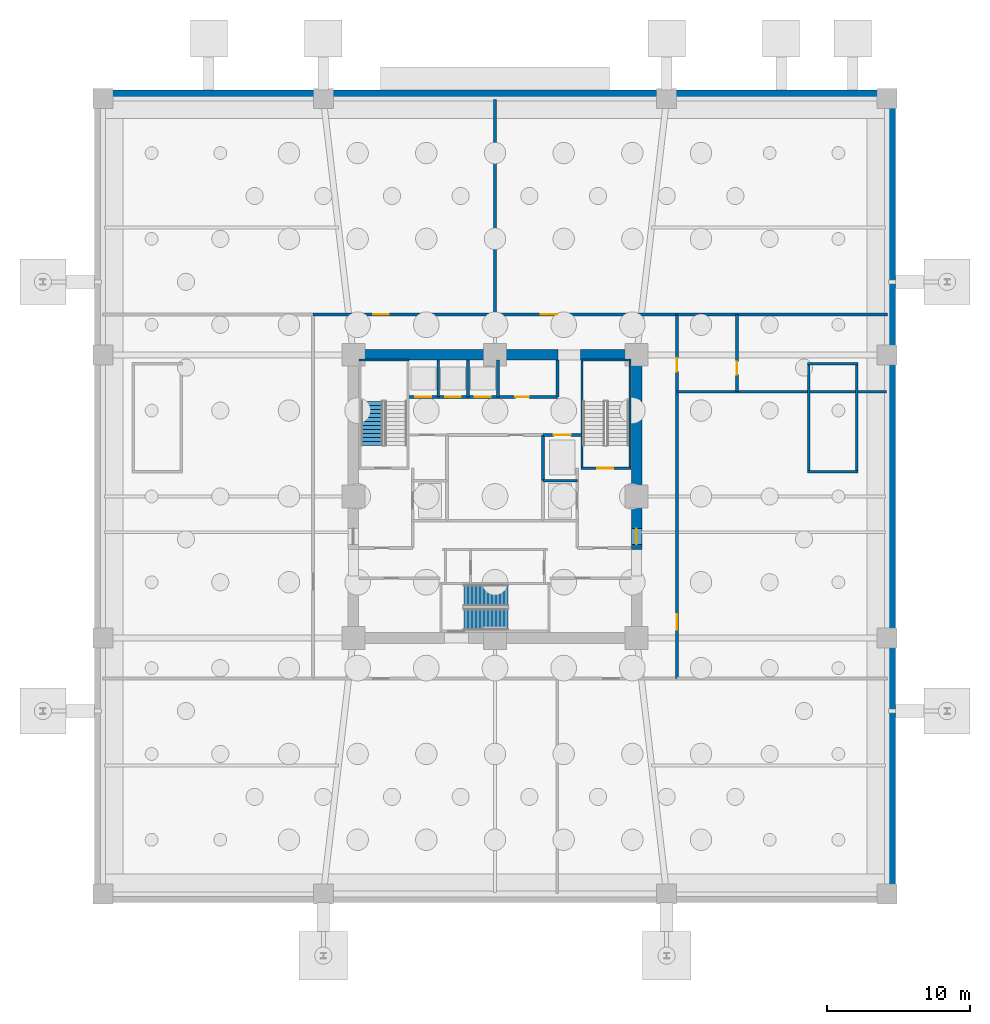
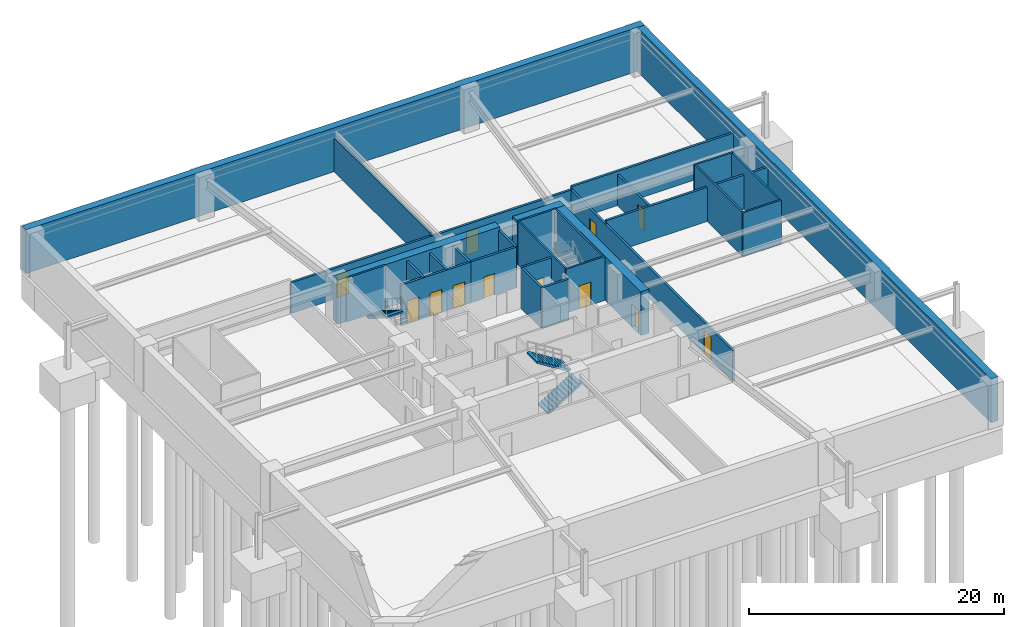
# One storey, part 5 of 8: 29 walls, 12 doors, 3 stair flights, 12 openings, 2 elements without a shape of their own.
"""IFC4 building model written with IfcOpenShell, lengths in metres."""

from ifc_helpers import new_model, si_unit, direction, frame, frame_2d, origin, place, context, subcontext, project, spatial, polyline, rectangle, outline, extrude, material, layer, layer_set, type_object, element, fill, aggregate, save


model = new_model("IFC4")

# Units and contexts
model_context = context("Model", 3, precision=1e-05, world=origin(), true_north=direction((0.0, 1.0)))
body_context = subcontext(model_context, "Body", "Model", "MODEL_VIEW")
ifc_project = project(units=[si_unit("LENGTHUNIT", "METRE"), si_unit("AREAUNIT", "SQUARE_METRE"), si_unit("VOLUMEUNIT", "CUBIC_METRE"), si_unit("PLANEANGLEUNIT", "RADIAN"), si_unit("MASSUNIT", "GRAM", prefix="KILO")], contexts=[model_context])

# Site, building, storey
site_placement = place(None, origin())
site = spatial("IfcSite", under=ifc_project, at=site_placement, CompositionType="ELEMENT")
building_placement = place(site_placement, origin())
building = spatial("IfcBuilding", under=site, at=building_placement, Name="Kolvaren Belvedere", CompositionType="ELEMENT")
storey_placement = place(building_placement, frame((0.0, 0.0, -12.60009765625)))
storey = spatial("IfcBuildingStorey", under=building, at=storey_placement, Name="B03", CompositionType="ELEMENT", Elevation=-12.60009765625)

# Walls
ifc_material_1 = material(Name="Concrete C60/75", Category="concrete")
ifc_layer_1 = layer(ifc_material_1, 0.75)
ifc_layer_set_1 = layer_set([ifc_layer_1], Name="Concrete C60/75")
wall_type_1 = type_object("IfcWallType", Name="CW-CORE-750", PredefinedType="SHEAR", material=ifc_layer_set_1)
wall_1_placement = place(storey_placement, frame((-10.27490234375, 9.89990234375, 0.0), z_axis=(0.0, 0.0, 1.0), x_axis=(1.0, 0.0, 0.0)))
element("IfcWall", 1, at=wall_1_placement, inside=storey, type_object=wall_type_1, Name="B03 North Core Shear Wall 1", PredefinedType="SHEAR", context=body_context, shape_type="SweptSolid", body=[
    extrude(rectangle(XDim=14.69482421875, YDim=0.75, at=frame_2d((7.347412109375, 0.0))), origin(), (0.0, 0.0, 1.0), 4.2001953125),
])
wall_2_placement = place(storey_placement, frame((5.97998046875, 9.89990234375, 0.0), z_axis=(0.0, 0.0, 1.0), x_axis=(1.0, 0.0, 0.0)))
element("IfcWall", 2, at=wall_2_placement, inside=storey, type_object=wall_type_1, Name="B03 North Core Shear Wall 2", PredefinedType="SHEAR", context=body_context, shape_type="SweptSolid", body=[
    extrude(rectangle(XDim=4.294921875, YDim=0.75, at=frame_2d((2.1474609375, 0.0))), origin(), (0.0, 0.0, 1.0), 4.2001953125),
])

# Wall, opening, door
wall_3_placement = place(storey_placement, frame((9.89990234375, -3.699951171875, 0.0), z_axis=(0.0, 0.0, 1.0), x_axis=(0.0, 1.0, 0.0)))
wall_3 = element("IfcWall", 3, at=wall_3_placement, inside=storey, type_object=wall_type_1, Name="B03 East Core Shear Wall 2", PredefinedType="SHEAR", context=body_context, shape_type="SweptSolid", body=[
    extrude(rectangle(XDim=13.224853515625, YDim=0.75, at=frame_2d((6.6123046875, 0.0))), origin(), (0.0, 0.0, 1.0), 4.2001953125),
])
opening_1_placement = place(wall_3_placement, frame((0.35009765625, 0.0, 0.0)))
opening_1 = element("IfcOpeningElement", 4, at=opening_1_placement, cuts=wall_3, Name="Opening D-FD90", PredefinedType="OPENING", context=body_context, shape_type="SweptSolid", body=[
    extrude(rectangle(XDim=1.10009765625, YDim=2.199951171875, at=frame_2d((0.550048828125, 1.10009765625))), frame((0.0, 0.385009765625, 0.0), z_axis=(0.0, -1.0, 0.0), x_axis=(1.0, 0.0, 0.0)), (0.0, 0.0, 1.0), 0.77001953125),
])
ifc_material_2 = material(Name="Painted hollow stainless steel", Category="steel")
door_type_1 = type_object("IfcDoorType", Name="DR-FD90-1100", OperationType="NOTDEFINED", PredefinedType="DOOR", material=ifc_material_2)
door_1_placement = place(opening_1_placement, origin())
door_1 = element("IfcDoor", 5, at=door_1_placement, inside=storey, type_object=door_type_1, Name="B03 East Firefighting Lobby Fire Door", OperationType="SINGLE_SWING_RIGHT", OverallHeight=2.199951171875, OverallWidth=1.10009765625, PredefinedType="DOOR", context=body_context, shape_type="SweptSolid", body=[
    extrude(rectangle(XDim=1.10009765625, YDim=2.199951171875, at=frame_2d((0.550048828125, 1.10009765625))), frame((0.0, 0.02490234375, 0.0), z_axis=(0.0, -1.0, 0.0), x_axis=(1.0, 0.0, 0.0)), (0.0, 0.0, 1.0), 0.050048828125),
])
fill(opening_1, door_1)

# Walls
ifc_material_3 = material(Name="Concrete C50/60", Category="concrete")
ifc_layer_2 = layer(ifc_material_3, 0.159912109375)
ifc_layer_set_2 = layer_set([ifc_layer_2], Name="Concrete C50/60")
wall_type_2 = type_object("IfcWallType", Name="CW-STAIR-160", PredefinedType="SHEAR", material=ifc_layer_set_2)
for number, where, z_axis, x_axis, name in (
    (6, (21.85009765625, 1.719970703125, 0.0), (0.0, 0.0, 1.0), (1.0, 0.0, 0.0), "B03 Podium Stair ST-P2 Support Wall S"),
    (7, (21.85009765625, 9.280029296875, 0.0), (0.0, 0.0, 1.0), (1.0, 0.0, 0.0), "B03 Podium Stair ST-P2 Support Wall N"),
):
    element("IfcWall", number, at=place(storey_placement, frame(where, z_axis=z_axis, x_axis=x_axis)), inside=storey, type_object=wall_type_2, Name=name, PredefinedType="SHEAR", context=body_context, shape_type="SweptSolid", body=[
        extrude(rectangle(XDim=3.510009765625, YDim=0.159912109375, at=frame_2d((1.7548828125, 0.0))), origin(), (0.0, 0.0, 1.0), 4.2001953125),
    ])
for number, where, z_axis, x_axis, name in (
    (8, (21.929931640625, 1.800048828125, 0.0), (0.0, 0.0, 1.0), (0.0, 1.0, 0.0), "B03 Podium Stair ST-P2 Support Wall W"),
    (9, (25.280029296875, 1.800048828125, 0.0), (0.0, 0.0, 1.0), (0.0, 1.0, 0.0), "B03 Podium Stair ST-P2 Support Wall E"),
):
    element("IfcWall", number, at=place(storey_placement, frame(where, z_axis=z_axis, x_axis=x_axis)), inside=storey, type_object=wall_type_2, Name=name, PredefinedType="SHEAR", context=body_context, shape_type="SweptSolid", body=[
        extrude(rectangle(XDim=7.39990234375, YDim=0.159912109375, at=frame_2d((3.699951171875, 0.0))), origin(), (0.0, 0.0, 1.0), 4.2001953125),
    ])
wall_4_placement = place(storey_placement, frame((-9.52001953125, 9.530029296875, 0.0), z_axis=(0.0, 0.0, 1.0), x_axis=(1.0, 0.0, 0.0)))
element("IfcWall", 10, at=wall_4_placement, inside=storey, type_object=wall_type_2, Name="B03 Stair ST-1 North Shear Wall", PredefinedType="SHEAR", context=body_context, shape_type="SweptSolid", body=[
    extrude(rectangle(XDim=3.52001953125, YDim=0.159912109375, at=frame_2d((1.760009765625, 0.0))), origin(), (0.0, 0.0, 1.0), 4.2001953125),
])

# Wall, opening, door
wall_5_placement = place(storey_placement, frame((6.0, 1.969970703125, 0.0), z_axis=(0.0, 0.0, 1.0), x_axis=(1.0, 0.0, 0.0)))
wall_5 = element("IfcWall", 11, at=wall_5_placement, inside=storey, type_object=wall_type_2, Name="B03 Stair ST-2 South Shear Wall", PredefinedType="SHEAR", context=body_context, shape_type="SweptSolid", body=[
    extrude(rectangle(XDim=3.52001953125, YDim=0.159912109375, at=frame_2d((1.760009765625, 0.0))), origin(), (0.0, 0.0, 1.0), 4.2001953125),
])
opening_2_placement = place(wall_5_placement, frame((1.14990234375, 0.0, 0.0)))
opening_2 = element("IfcOpeningElement", 12, at=opening_2_placement, cuts=wall_5, Name="Opening D-FD90", PredefinedType="OPENING", context=body_context, shape_type="SweptSolid", body=[
    extrude(rectangle(XDim=1.10009765625, YDim=2.199951171875, at=frame_2d((0.550048828125, 1.10009765625))), frame((0.0, 0.08984375, 0.0), z_axis=(0.0, -1.0, 0.0), x_axis=(1.0, 0.0, 0.0)), (0.0, 0.0, 1.0), 0.179931640625),
])
door_2_placement = place(opening_2_placement, origin())
door_2 = element("IfcDoor", 13, at=door_2_placement, inside=storey, type_object=door_type_1, Name="B03 Stair ST-2 Fire Door", OperationType="SINGLE_SWING_RIGHT", OverallHeight=2.199951171875, OverallWidth=1.10009765625, PredefinedType="DOOR", context=body_context, shape_type="SweptSolid", body=[
    extrude(rectangle(XDim=1.10009765625, YDim=2.199951171875, at=frame_2d((0.550048828125, 1.10009765625))), frame((0.0, 0.02490234375, 0.0), z_axis=(0.0, -1.0, 0.0), x_axis=(1.0, 0.0, 0.0)), (0.0, 0.0, 1.0), 0.050048828125),
])
fill(opening_2, door_2)

# Walls
wall_6_placement = place(storey_placement, frame((6.0, 9.530029296875, 0.0), z_axis=(0.0, 0.0, 1.0), x_axis=(1.0, 0.0, 0.0)))
element("IfcWall", 14, at=wall_6_placement, inside=storey, type_object=wall_type_2, Name="B03 Stair ST-2 North Shear Wall", PredefinedType="SHEAR", context=body_context, shape_type="SweptSolid", body=[
    extrude(rectangle(XDim=3.52001953125, YDim=0.159912109375, at=frame_2d((1.760009765625, 0.0))), origin(), (0.0, 0.0, 1.0), 4.2001953125),
])
for number, where, z_axis, x_axis, name in (
    (15, (6.080078125, 1.969970703125, 0.0), (0.0, 0.0, 1.0), (0.0, 1.0, 0.0), "B03 Stair ST-2 West Shear Wall"),
    (16, (9.429931640625, 1.969970703125, 0.0), (0.0, 0.0, 1.0), (0.0, 1.0, 0.0), "B03 Stair ST-2 East Shear Wall"),
):
    element("IfcWall", number, at=place(storey_placement, frame(where, z_axis=z_axis, x_axis=x_axis)), inside=storey, type_object=wall_type_2, Name=name, PredefinedType="SHEAR", context=body_context, shape_type="SweptSolid", body=[
        extrude(rectangle(XDim=7.56005859375, YDim=0.159912109375, at=frame_2d((3.780029296875, 0.0))), origin(), (0.0, 0.0, 1.0), 4.2001953125),
    ])
ifc_material_4 = material(Name="Concrete C50/60", Category="concrete")
ifc_layer_3 = layer(ifc_material_4, 0.64990234375)
ifc_layer_set_3 = layer_set([ifc_layer_3], Name="Concrete C50/60")
wall_type_3 = type_object("IfcWallType", Name="RW-BASE-650", PredefinedType="SHEAR", material=ifc_layer_set_3)
wall_7_placement = place(storey_placement, frame((-28.0, 28.074951171875, 0.0), z_axis=(0.0, 0.0, 1.0), x_axis=(1.0, 0.0, 0.0)))
element("IfcWall", 17, at=wall_7_placement, inside=storey, type_object=wall_type_3, Name="B03 North Perimeter Retaining Wall", PredefinedType="SHEAR", context=body_context, shape_type="SweptSolid", body=[
    extrude(rectangle(XDim=56.0, YDim=0.64990234375, at=frame_2d((28.0, 0.0))), origin(), (0.0, 0.0, 1.0), 4.2001953125),
])
wall_8_placement = place(storey_placement, frame((27.675048828125, -27.75, 0.0), z_axis=(0.0, 0.0, 1.0), x_axis=(0.0, 1.0, 0.0)))
element("IfcWall", 18, at=wall_8_placement, inside=storey, type_object=wall_type_3, Name="B03 East Perimeter Retaining Wall", PredefinedType="SHEAR", context=body_context, shape_type="SweptSolid", body=[
    extrude(rectangle(XDim=55.5, YDim=0.64990234375, at=frame_2d((27.75, 0.0))), origin(), (0.0, 0.0, 1.0), 4.2001953125),
])
ifc_material_5 = material(Name="Concrete C50/60", Category="concrete")
ifc_layer_4 = layer(ifc_material_5, 0.199951171875)
ifc_layer_set_4 = layer_set([ifc_layer_4], Name="Concrete C50/60")
wall_type_4 = type_object("IfcWallType", Name="WL-SHAFT-200", PredefinedType="SOLIDWALL", material=ifc_layer_set_4)
wall_9_placement = place(storey_placement, frame((3.35009765625, 1.10009765625, 0.0), z_axis=(0.0, 0.0, 1.0), x_axis=(1.0, 0.0, 0.0)))
element("IfcWall", 19, at=wall_9_placement, inside=storey, type_object=wall_type_4, Name="B03 FSAE FS2 North Wall", PredefinedType="SOLIDWALL", context=body_context, shape_type="SweptSolid", body=[
    extrude(rectangle(XDim=2.39990234375, YDim=0.199951171875, at=frame_2d((1.199951171875, 0.0))), origin(), (0.0, 0.0, 1.0), 3.900146484375),
])

# Wall, opening, door
wall_10_placement = place(storey_placement, frame((3.35009765625, 4.300048828125, 0.0), z_axis=(0.0, 0.0, 1.0), x_axis=(1.0, 0.0, 0.0)))
wall_10 = element("IfcWall", 20, at=wall_10_placement, inside=storey, type_object=wall_type_4, Name="B03 Service Lift SV1 Front Wall", PredefinedType="SOLIDWALL", context=body_context, shape_type="SweptSolid", body=[
    extrude(rectangle(XDim=2.72998046875, YDim=0.199951171875, at=frame_2d((1.364990234375, 0.0))), origin(), (0.0, 0.0, 1.0), 3.900146484375),
])
opening_3_placement = place(wall_10_placement, frame((0.75, 0.0, 0.0)))
opening_3 = element("IfcOpeningElement", 21, at=opening_3_placement, cuts=wall_10, Name="Opening LD-12", PredefinedType="OPENING", context=body_context, shape_type="SweptSolid", body=[
    extrude(rectangle(XDim=1.199951171875, YDim=2.25, at=frame_2d((0.60009765625, 1.125))), frame((0.0, 0.10986328125, 0.0), z_axis=(0.0, -1.0, 0.0), x_axis=(1.0, 0.0, 0.0)), (0.0, 0.0, 1.0), 0.219970703125),
])
ifc_material_6 = material(Name="Brushed stainless steel", Category="steel")
door_type_2 = type_object("IfcDoorType", Name="DR-LIFT-1200", OperationType="DOUBLE_DOOR_SLIDING", PredefinedType="DOOR", material=ifc_material_6)
door_3_placement = place(opening_3_placement, origin())
door_3 = element("IfcDoor", 22, at=door_3_placement, inside=storey, type_object=door_type_2, Name="B03 Service Lift SV1 Landing Door", OperationType="DOUBLE_DOOR_SLIDING", OverallHeight=2.25, OverallWidth=1.199951171875, PredefinedType="DOOR", context=body_context, shape_type="SweptSolid", body=[
    extrude(rectangle(XDim=1.199951171875, YDim=2.25, at=frame_2d((0.60009765625, 1.125))), frame((0.0, 0.02490234375, 0.0), z_axis=(0.0, -1.0, 0.0), x_axis=(1.0, 0.0, 0.0)), (0.0, 0.0, 1.0), 0.050048828125),
])
fill(opening_3, door_3)

# Wall, openings, doors
wall_11_placement = place(storey_placement, frame((-6.080078125, 6.949951171875, 0.0), z_axis=(0.0, 0.0, 1.0), x_axis=(1.0, 0.0, 0.0)))
wall_11 = element("IfcWall", 23, at=wall_11_placement, inside=storey, type_object=wall_type_4, Name="B03 Low-Rise Lift Bank Front Wall", PredefinedType="SOLIDWALL", context=body_context, shape_type="SweptSolid", body=[
    extrude(rectangle(XDim=6.300048828125, YDim=0.199951171875, at=frame_2d((3.14990234375, 0.0))), origin(), (0.0, 0.0, 1.0), 3.900146484375),
])
opening_4_placement = place(wall_11_placement, frame((0.52001953125, 0.0, 0.0)))
opening_4 = element("IfcOpeningElement", 24, at=opening_4_placement, cuts=wall_11, Name="Opening LD-11", PredefinedType="OPENING", context=body_context, shape_type="SweptSolid", body=[
    extrude(rectangle(XDim=1.10009765625, YDim=2.199951171875, at=frame_2d((0.550048828125, 1.10009765625))), frame((0.0, 0.10986328125, 0.0), z_axis=(0.0, -1.0, 0.0), x_axis=(1.0, 0.0, 0.0)), (0.0, 0.0, 1.0), 0.219970703125),
])
opening_5_placement = place(wall_11_placement, frame((2.60009765625, 0.0, 0.0)))
opening_5 = element("IfcOpeningElement", 25, at=opening_5_placement, cuts=wall_11, Name="Opening LD-11", PredefinedType="OPENING", context=body_context, shape_type="SweptSolid", body=[
    extrude(rectangle(XDim=1.10009765625, YDim=2.199951171875, at=frame_2d((0.550048828125, 1.10009765625))), frame((0.0, 0.10986328125, 0.0), z_axis=(0.0, -1.0, 0.0), x_axis=(1.0, 0.0, 0.0)), (0.0, 0.0, 1.0), 0.219970703125),
])
opening_6_placement = place(wall_11_placement, frame((4.679931640625, 0.0, 0.0)))
opening_6 = element("IfcOpeningElement", 26, at=opening_6_placement, cuts=wall_11, Name="Opening LD-11", PredefinedType="OPENING", context=body_context, shape_type="SweptSolid", body=[
    extrude(rectangle(XDim=1.10009765625, YDim=2.199951171875, at=frame_2d((0.550048828125, 1.10009765625))), frame((0.0, 0.10986328125, 0.0), z_axis=(0.0, -1.0, 0.0), x_axis=(1.0, 0.0, 0.0)), (0.0, 0.0, 1.0), 0.219970703125),
])
ifc_material_7 = material(Name="Brushed stainless steel", Category="steel")
door_type_3 = type_object("IfcDoorType", Name="DR-LIFT-1100", OperationType="DOUBLE_DOOR_SLIDING", PredefinedType="DOOR", material=ifc_material_7)
door_4_placement = place(opening_4_placement, origin())
door_4 = element("IfcDoor", 27, at=door_4_placement, inside=storey, type_object=door_type_3, Name="B03 Passenger Lift P1 Landing Door", OperationType="DOUBLE_DOOR_SLIDING", OverallHeight=2.199951171875, OverallWidth=1.10009765625, PredefinedType="DOOR", context=body_context, shape_type="SweptSolid", body=[
    extrude(rectangle(XDim=1.10009765625, YDim=2.199951171875, at=frame_2d((0.550048828125, 1.10009765625))), frame((0.0, 0.02490234375, 0.0), z_axis=(0.0, -1.0, 0.0), x_axis=(1.0, 0.0, 0.0)), (0.0, 0.0, 1.0), 0.050048828125),
])
fill(opening_4, door_4)
door_5_placement = place(opening_5_placement, origin())
door_5 = element("IfcDoor", 28, at=door_5_placement, inside=storey, type_object=door_type_3, Name="B03 Passenger Lift P2 Landing Door", OperationType="DOUBLE_DOOR_SLIDING", OverallHeight=2.199951171875, OverallWidth=1.10009765625, PredefinedType="DOOR", context=body_context, shape_type="SweptSolid", body=[
    extrude(rectangle(XDim=1.10009765625, YDim=2.199951171875, at=frame_2d((0.550048828125, 1.10009765625))), frame((0.0, 0.02490234375, 0.0), z_axis=(0.0, -1.0, 0.0), x_axis=(1.0, 0.0, 0.0)), (0.0, 0.0, 1.0), 0.050048828125),
])
fill(opening_5, door_5)
door_6_placement = place(opening_6_placement, origin())
door_6 = element("IfcDoor", 29, at=door_6_placement, inside=storey, type_object=door_type_3, Name="B03 Passenger Lift P3 Landing Door", OperationType="DOUBLE_DOOR_SLIDING", OverallHeight=2.199951171875, OverallWidth=1.10009765625, PredefinedType="DOOR", context=body_context, shape_type="SweptSolid", body=[
    extrude(rectangle(XDim=1.10009765625, YDim=2.199951171875, at=frame_2d((0.550048828125, 1.10009765625))), frame((0.0, 0.02490234375, 0.0), z_axis=(0.0, -1.0, 0.0), x_axis=(1.0, 0.0, 0.0)), (0.0, 0.0, 1.0), 0.050048828125),
])
fill(opening_6, door_6)

# Walls
for number, where, z_axis, x_axis, name in (
    (30, (-3.969970703125, 6.949951171875, 0.0), (0.0, 0.0, 1.0), (0.0, 1.0, 0.0), "B03 Low-Rise Hoistway Divider 1"),
    (31, (-1.889892578125, 6.949951171875, 0.0), (0.0, 0.0, 1.0), (0.0, 1.0, 0.0), "B03 Low-Rise Hoistway Divider 2"),
    (32, (0.2099609375, 6.949951171875, 0.0), (0.0, 0.0, 1.0), (0.0, 1.0, 0.0), "B03 Low-Rise Hoistway Divider 3"),
):
    element("IfcWall", number, at=place(storey_placement, frame(where, z_axis=z_axis, x_axis=x_axis)), inside=storey, type_object=wall_type_4, Name=name, PredefinedType="SOLIDWALL", context=body_context, shape_type="SweptSolid", body=[
        extrude(rectangle(XDim=2.570068359375, YDim=0.199951171875, at=frame_2d((1.28515625, 0.0))), origin(), (0.0, 0.0, 1.0), 3.900146484375),
    ])

# Wall, opening, door
wall_12_placement = place(storey_placement, frame((0.219970703125, 6.949951171875, 0.0), z_axis=(0.0, 0.0, 1.0), x_axis=(1.0, 0.0, 0.0)))
wall_12 = element("IfcWall", 33, at=wall_12_placement, inside=storey, type_object=wall_type_4, Name="B03 Core Metering Wall", PredefinedType="SOLIDWALL", context=body_context, shape_type="SweptSolid", body=[
    extrude(rectangle(XDim=4.159912109375, YDim=0.199951171875, at=frame_2d((2.080078125, 0.0))), origin(), (0.0, 0.0, 1.0), 3.900146484375),
])
opening_7_placement = place(wall_12_placement, frame((1.199951171875, 0.0, 0.0)))
opening_7 = element("IfcOpeningElement", 34, at=opening_7_placement, cuts=wall_12, Name="Opening D-FD60", PredefinedType="OPENING", context=body_context, shape_type="SweptSolid", body=[
    extrude(rectangle(XDim=0.949951171875, YDim=2.06005859375, at=frame_2d((0.47509765625, 1.030029296875))), frame((0.0, 0.10986328125, 0.0), z_axis=(0.0, -1.0, 0.0), x_axis=(1.0, 0.0, 0.0)), (0.0, 0.0, 1.0), 0.219970703125),
])
ifc_material_8 = material(Name="Acoustic white-oak fire door leaf", Category="timber")
door_type_4 = type_object("IfcDoorType", Name="DR-FD60-950", OperationType="NOTDEFINED", PredefinedType="DOOR", material=ifc_material_8)
door_7_placement = place(opening_7_placement, origin())
door_7 = element("IfcDoor", 35, at=door_7_placement, inside=storey, type_object=door_type_4, Name="B03 Core Metering Door", OperationType="SINGLE_SWING_LEFT", OverallHeight=2.06005859375, OverallWidth=0.949951171875, PredefinedType="DOOR", context=body_context, shape_type="SweptSolid", body=[
    extrude(rectangle(XDim=0.949951171875, YDim=2.06005859375, at=frame_2d((0.47509765625, 1.030029296875))), frame((0.0, 0.02490234375, 0.0), z_axis=(0.0, -1.0, 0.0), x_axis=(1.0, 0.0, 0.0)), (0.0, 0.0, 1.0), 0.050048828125),
])
fill(opening_7, door_7)

# Walls
wall_13_placement = place(storey_placement, frame((4.3798828125, 6.949951171875, 0.0), z_axis=(0.0, 0.0, 1.0), x_axis=(0.0, 1.0, 0.0)))
element("IfcWall", 36, at=wall_13_placement, inside=storey, type_object=wall_type_4, Name="B03 Core Metering East Wall", PredefinedType="SOLIDWALL", context=body_context, shape_type="SweptSolid", body=[
    extrude(rectangle(XDim=2.570068359375, YDim=0.199951171875, at=frame_2d((1.28515625, 0.0))), origin(), (0.0, 0.0, 1.0), 3.900146484375),
])
wall_14_placement = place(storey_placement, frame((3.35009765625, 1.10009765625, 0.0), z_axis=(0.0, 0.0, 1.0), x_axis=(0.0, 1.0, 0.0)))
element("IfcWall", 37, at=wall_14_placement, inside=storey, type_object=wall_type_4, Name="B03 Central Core Room East Wall", PredefinedType="SOLIDWALL", context=body_context, shape_type="SweptSolid", body=[
    extrude(rectangle(XDim=3.199951171875, YDim=0.199951171875, at=frame_2d((1.60009765625, 0.0))), origin(), (0.0, 0.0, 1.0), 3.900146484375),
])

# Wall, openings, doors
wall_15_placement = place(storey_placement, frame((-12.719970703125, 12.719970703125, 0.0), z_axis=(0.0, 0.0, 1.0), x_axis=(1.0, 0.0, 0.0)))
wall_15 = element("IfcWall", 38, at=wall_15_placement, inside=storey, type_object=wall_type_4, Name="B03 North Corridor Wall", PredefinedType="SOLIDWALL", context=body_context, shape_type="SweptSolid", body=[
    extrude(rectangle(XDim=25.43994140625, YDim=0.199951171875, at=frame_2d((12.719970703125, 0.0))), origin(), (0.0, 0.0, 1.0), 2.9580078125),
])
opening_8_placement = place(wall_15_placement, frame((4.199951171875, 0.0, 0.0)))
opening_8 = element("IfcOpeningElement", 39, at=opening_8_placement, cuts=wall_15, Name="Opening D-FD90", PredefinedType="OPENING", context=body_context, shape_type="SweptSolid", body=[
    extrude(rectangle(XDim=1.10009765625, YDim=2.199951171875, at=frame_2d((0.550048828125, 1.10009765625))), frame((0.0, 0.10986328125, 0.0), z_axis=(0.0, -1.0, 0.0), x_axis=(1.0, 0.0, 0.0)), (0.0, 0.0, 1.0), 0.219970703125),
])
opening_9_placement = place(wall_15_placement, frame((15.919921875, 0.0, 0.0)))
opening_9 = element("IfcOpeningElement", 40, at=opening_9_placement, cuts=wall_15, Name="Opening D-FD90", PredefinedType="OPENING", context=body_context, shape_type="SweptSolid", body=[
    extrude(rectangle(XDim=1.10009765625, YDim=2.199951171875, at=frame_2d((0.550048828125, 1.10009765625))), frame((0.0, 0.10986328125, 0.0), z_axis=(0.0, -1.0, 0.0), x_axis=(1.0, 0.0, 0.0)), (0.0, 0.0, 1.0), 0.219970703125),
])
door_8_placement = place(opening_8_placement, origin())
door_8 = element("IfcDoor", 41, at=door_8_placement, inside=storey, type_object=door_type_1, Name="B03 Central Linen & Housekeeping Room Door", OperationType="SINGLE_SWING_RIGHT", OverallHeight=2.199951171875, OverallWidth=1.10009765625, PredefinedType="DOOR", context=body_context, shape_type="SweptSolid", body=[
    extrude(rectangle(XDim=1.10009765625, YDim=2.199951171875, at=frame_2d((0.550048828125, 1.10009765625))), frame((0.0, 0.02490234375, 0.0), z_axis=(0.0, -1.0, 0.0), x_axis=(1.0, 0.0, 0.0)), (0.0, 0.0, 1.0), 0.050048828125),
])
fill(opening_8, door_8)
door_9_placement = place(opening_9_placement, origin())
door_9 = element("IfcDoor", 42, at=door_9_placement, inside=storey, type_object=door_type_1, Name="B03 Auxiliary Controls Mechanical Plant Door", OperationType="SINGLE_SWING_LEFT", OverallHeight=2.199951171875, OverallWidth=1.10009765625, PredefinedType="DOOR", context=body_context, shape_type="SweptSolid", body=[
    extrude(rectangle(XDim=1.10009765625, YDim=2.199951171875, at=frame_2d((0.550048828125, 1.10009765625))), frame((0.0, 0.02490234375, 0.0), z_axis=(0.0, -1.0, 0.0), x_axis=(1.0, 0.0, 0.0)), (0.0, 0.0, 1.0), 0.050048828125),
])
fill(opening_9, door_9)

wall_16_placement = place(storey_placement, frame((12.719970703125, -12.719970703125, 0.0), z_axis=(0.0, 0.0, 1.0), x_axis=(0.0, 1.0, 0.0)))
wall_16 = element("IfcWall", 43, at=wall_16_placement, inside=storey, type_object=wall_type_4, Name="B03 East Corridor Wall", PredefinedType="SOLIDWALL", context=body_context, shape_type="SweptSolid", body=[
    extrude(rectangle(XDim=25.43994140625, YDim=0.199951171875, at=frame_2d((12.719970703125, 0.0))), origin(), (0.0, 0.0, 1.0), 2.9580078125),
])
opening_10_placement = place(wall_16_placement, frame((3.39990234375, 0.0, 0.0)))
opening_10 = element("IfcOpeningElement", 44, at=opening_10_placement, cuts=wall_16, Name="Opening D-FD90", PredefinedType="OPENING", context=body_context, shape_type="SweptSolid", body=[
    extrude(rectangle(XDim=1.10009765625, YDim=2.199951171875, at=frame_2d((0.550048828125, 1.10009765625))), frame((0.0, 0.10986328125, 0.0), z_axis=(0.0, -1.0, 0.0), x_axis=(1.0, 0.0, 0.0)), (0.0, 0.0, 1.0), 0.219970703125),
])
opening_11_placement = place(wall_16_placement, frame((21.43994140625, 0.0, 0.0)))
opening_11 = element("IfcOpeningElement", 45, at=opening_11_placement, cuts=wall_16, Name="Opening D-INT95", PredefinedType="OPENING", context=body_context, shape_type="SweptSolid", body=[
    extrude(rectangle(XDim=0.949951171875, YDim=2.06005859375, at=frame_2d((0.47509765625, 1.030029296875))), frame((0.0, 0.10986328125, 0.0), z_axis=(0.0, -1.0, 0.0), x_axis=(1.0, 0.0, 0.0)), (0.0, 0.0, 1.0), 0.219970703125),
])
door_10_placement = place(opening_10_placement, origin())
door_10 = element("IfcDoor", 46, at=door_10_placement, inside=storey, type_object=door_type_1, Name="B03 Stormwater Sump Mechanical Plant Door", OperationType="SINGLE_SWING_RIGHT", OverallHeight=2.199951171875, OverallWidth=1.10009765625, PredefinedType="DOOR", context=body_context, shape_type="SweptSolid", body=[
    extrude(rectangle(XDim=1.10009765625, YDim=2.199951171875, at=frame_2d((0.550048828125, 1.10009765625))), frame((0.0, 0.02490234375, 0.0), z_axis=(0.0, -1.0, 0.0), x_axis=(1.0, 0.0, 0.0)), (0.0, 0.0, 1.0), 0.050048828125),
])
fill(opening_10, door_10)
ifc_material_9 = material(Name="Stained Pacific white oak", Category="timber")
door_type_5 = type_object("IfcDoorType", Name="DR-INT-950", OperationType="NOTDEFINED", PredefinedType="DOOR", material=ifc_material_9)
door_11_placement = place(opening_11_placement, origin())
door_11 = element("IfcDoor", 47, at=door_11_placement, inside=storey, type_object=door_type_5, Name="B03 Staff Accessible Washroom Door", OperationType="SINGLE_SWING_LEFT", OverallHeight=2.06005859375, OverallWidth=0.949951171875, PredefinedType="DOOR", context=body_context, shape_type="SweptSolid", body=[
    extrude(rectangle(XDim=0.949951171875, YDim=2.06005859375, at=frame_2d((0.47509765625, 1.030029296875))), frame((0.0, 0.02490234375, 0.0), z_axis=(0.0, -1.0, 0.0), x_axis=(1.0, 0.0, 0.0)), (0.0, 0.0, 1.0), 0.050048828125),
])
fill(opening_11, door_11)

# Walls
wall_17_placement = place(storey_placement, frame((12.719970703125, 12.719970703125, 0.0), z_axis=(0.0, 0.0, 1.0), x_axis=(1.0, 0.0, 0.0)))
element("IfcWall", 48, at=wall_17_placement, inside=storey, type_object=wall_type_4, Name="B03 Sector Wall PW-B03-QNE", PredefinedType="SOLIDWALL", context=body_context, shape_type="SweptSolid", body=[
    extrude(rectangle(XDim=14.719970703125, YDim=0.199951171875, at=frame_2d((7.35986328125, 0.0))), origin(), (0.0, 0.0, 1.0), 3.26904296875),
])
wall_18_placement = place(storey_placement, frame((12.719970703125, 7.320068359375, 0.0), z_axis=(0.0, 0.0, 1.0), x_axis=(1.0, 0.0, 0.0)))
element("IfcWall", 49, at=wall_18_placement, inside=storey, type_object=wall_type_4, Name="B03 East Plant WC Wall", PredefinedType="SOLIDWALL", context=body_context, shape_type="SweptSolid", body=[
    extrude(rectangle(XDim=14.630126953125, YDim=0.199951171875, at=frame_2d((7.31494140625, 0.0))), origin(), (0.0, 0.0, 1.0), 3.26904296875),
])

# Wall, opening, door
wall_19_placement = place(storey_placement, frame((16.919921875, 7.320068359375, 0.0), z_axis=(0.0, 0.0, 1.0), x_axis=(0.0, 1.0, 0.0)))
wall_19 = element("IfcWall", 50, at=wall_19_placement, inside=storey, type_object=wall_type_4, Name="B03 Staff WC Back Wall", PredefinedType="SOLIDWALL", context=body_context, shape_type="SweptSolid", body=[
    extrude(rectangle(XDim=5.39990234375, YDim=0.199951171875, at=frame_2d((2.699951171875, 0.0))), origin(), (0.0, 0.0, 1.0), 2.9580078125),
])
opening_12_placement = place(wall_19_placement, frame((1.199951171875, 0.0, 0.0)))
opening_12 = element("IfcOpeningElement", 51, at=opening_12_placement, cuts=wall_19, Name="Opening D-INT90", PredefinedType="OPENING", context=body_context, shape_type="SweptSolid", body=[
    extrude(rectangle(XDim=0.89990234375, YDim=2.06005859375, at=frame_2d((0.449951171875, 1.030029296875))), frame((0.0, 0.10986328125, 0.0), z_axis=(0.0, -1.0, 0.0), x_axis=(1.0, 0.0, 0.0)), (0.0, 0.0, 1.0), 0.219970703125),
])
ifc_material_10 = material(Name="Stained Pacific white oak", Category="timber")
door_type_6 = type_object("IfcDoorType", Name="DR-INT-900", OperationType="NOTDEFINED", PredefinedType="DOOR", material=ifc_material_10)
door_12_placement = place(opening_12_placement, origin())
door_12 = element("IfcDoor", 52, at=door_12_placement, inside=storey, type_object=door_type_6, Name="B03 Substructure Metering Mechanical Plant Door", OperationType="SINGLE_SWING_RIGHT", OverallHeight=2.06005859375, OverallWidth=0.89990234375, PredefinedType="DOOR", context=body_context, shape_type="SweptSolid", body=[
    extrude(rectangle(XDim=0.89990234375, YDim=2.06005859375, at=frame_2d((0.449951171875, 1.030029296875))), frame((0.0, 0.02490234375, 0.0), z_axis=(0.0, -1.0, 0.0), x_axis=(1.0, 0.0, 0.0)), (0.0, 0.0, 1.0), 0.050048828125),
])
fill(opening_12, door_12)

# Wall
wall_20_placement = place(storey_placement, frame((0.0, 12.719970703125, 0.0), z_axis=(0.0, 0.0, 1.0), x_axis=(0.0, 1.0, 0.0)))
element("IfcWall", 53, at=wall_20_placement, inside=storey, type_object=wall_type_4, Name="B03 North Plant Divider", PredefinedType="SOLIDWALL", context=body_context, shape_type="SweptSolid", body=[
    extrude(rectangle(XDim=15.030029296875, YDim=0.199951171875, at=frame_2d((7.51513671875, 0.0))), origin(), (0.0, 0.0, 1.0), 3.26904296875),
])

# Stair, stair flight
ifc_material_11 = material(Name="Concrete C50/60", Category="concrete")
stair_type = type_object("IfcStairType", Name="ST-CORE-1520", PredefinedType="HALF_TURN_STAIR", material=ifc_material_11)
stair_1_placement = place(storey_placement, origin())
stair_1 = element("IfcStair", 54, at=stair_1_placement, inside=storey, type_object=stair_type, Name="B03 Protected Exit Stair ST-1", PredefinedType="HALF_TURN_STAIR")
ifc_material_12 = material(Name="Concrete C50/60", Category="concrete")
stair_flight_type = type_object("IfcStairFlightType", Name="SF-STR-1520", PredefinedType="STRAIGHT", material=ifc_material_12)
stair_flight_1_placement = place(storey_placement, frame((-8.590087890625, 6.64990234375, 2.10009765625), z_axis=(0.0, 0.0, 1.0), x_axis=(0.0, -1.0, 0.0)))
stair_flight_1 = element("IfcStairFlight", 55, at=stair_flight_1_placement, type_object=stair_flight_type, Name="ST-1 flight 2", NumberOfRisers=12, NumberOfTreads=11, PredefinedType="STRAIGHT", RiserHeight=0.175, TreadLength=0.28, context=body_context, shape_type="SweptSolid", body=[
    extrude(outline(polyline([(0.0, 0.0), (0.0, 0.175048828125), (0.280029296875, 0.175048828125), (0.280029296875, 0.35009765625), (0.56005859375, 0.35009765625), (0.56005859375, 0.52490234375), (0.840087890625, 0.52490234375), (0.840087890625, 0.699951171875), (1.1201171875, 0.699951171875), (1.1201171875, 0.875), (1.39990234375, 0.875), (1.39990234375, 1.050048828125), (1.679931640625, 1.050048828125), (1.679931640625, 1.22509765625), (1.9599609375, 1.22509765625), (1.9599609375, 1.39990234375), (2.239990234375, 1.39990234375), (2.239990234375, 1.574951171875), (2.52001953125, 1.574951171875), (2.52001953125, 1.75), (2.800048828125, 1.75), (2.800048828125, 1.925048828125), (3.080078125, 1.925048828125), (3.080078125, 2.10009765625), (3.080078125, 1.748291015625), (0.28271484375, 0.0), (0.0, 0.0)])), frame((0.0, 0.760009765625, 0.0), z_axis=(0.0, -1.0, 0.0), x_axis=(1.0, 0.0, 0.0)), (0.0, 0.0, 1.0), 1.52001953125),
])
aggregate(stair_1, [stair_flight_1])

# Stair, stair flights
stair_2_placement = place(storey_placement, origin())
stair_2 = element("IfcStair", 56, at=stair_2_placement, inside=storey, type_object=stair_type, Name="B03 Protected Exit Stair ST-3", PredefinedType="HALF_TURN_STAIR")
stair_flight_2_placement = place(storey_placement, frame((-2.179931640625, -8.590087890625, 0.0), z_axis=(0.0, 0.0, 1.0), x_axis=(1.0, 0.0, 0.0)))
stair_flight_2 = element("IfcStairFlight", 57, at=stair_flight_2_placement, type_object=stair_flight_type, Name="ST-3 flight 1", NumberOfRisers=12, NumberOfTreads=11, PredefinedType="STRAIGHT", RiserHeight=0.175, TreadLength=0.28, context=body_context, shape_type="SweptSolid", body=[
    extrude(outline(polyline([(0.0, 0.0), (0.0, 0.175048828125), (0.280029296875, 0.175048828125), (0.280029296875, 0.35009765625), (0.56005859375, 0.35009765625), (0.56005859375, 0.52490234375), (0.840087890625, 0.52490234375), (0.840087890625, 0.699951171875), (1.1201171875, 0.699951171875), (1.1201171875, 0.875), (1.39990234375, 0.875), (1.39990234375, 1.050048828125), (1.679931640625, 1.050048828125), (1.679931640625, 1.22509765625), (1.9599609375, 1.22509765625), (1.9599609375, 1.39990234375), (2.239990234375, 1.39990234375), (2.239990234375, 1.574951171875), (2.52001953125, 1.574951171875), (2.52001953125, 1.75), (2.800048828125, 1.75), (2.800048828125, 1.925048828125), (3.080078125, 1.925048828125), (3.080078125, 2.10009765625), (3.080078125, 1.748291015625), (0.28271484375, 0.0), (0.0, 0.0)])), frame((0.0, 0.760009765625, 0.0), z_axis=(0.0, -1.0, 0.0), x_axis=(1.0, 0.0, 0.0)), (0.0, 0.0, 1.0), 1.52001953125),
])
stair_flight_3_placement = place(storey_placement, frame((0.89990234375, -6.919921875, 2.10009765625), z_axis=(0.0, 0.0, 1.0), x_axis=(-1.0, 0.0, 0.0)))
stair_flight_3 = element("IfcStairFlight", 58, at=stair_flight_3_placement, type_object=stair_flight_type, Name="ST-3 flight 2", NumberOfRisers=12, NumberOfTreads=11, PredefinedType="STRAIGHT", RiserHeight=0.175, TreadLength=0.28, context=body_context, shape_type="SweptSolid", body=[
    extrude(outline(polyline([(0.0, 0.0), (0.0, 0.175048828125), (0.280029296875, 0.175048828125), (0.280029296875, 0.35009765625), (0.56005859375, 0.35009765625), (0.56005859375, 0.52490234375), (0.840087890625, 0.52490234375), (0.840087890625, 0.699951171875), (1.1201171875, 0.699951171875), (1.1201171875, 0.875), (1.39990234375, 0.875), (1.39990234375, 1.050048828125), (1.679931640625, 1.050048828125), (1.679931640625, 1.22509765625), (1.9599609375, 1.22509765625), (1.9599609375, 1.39990234375), (2.239990234375, 1.39990234375), (2.239990234375, 1.574951171875), (2.52001953125, 1.574951171875), (2.52001953125, 1.75), (2.800048828125, 1.75), (2.800048828125, 1.925048828125), (3.080078125, 1.925048828125), (3.080078125, 2.10009765625), (3.080078125, 1.748291015625), (0.28271484375, 0.0), (0.0, 0.0)])), frame((0.0, 0.760009765625, 0.0), z_axis=(0.0, -1.0, 0.0), x_axis=(1.0, 0.0, 0.0)), (0.0, 0.0, 1.0), 1.52001953125),
])
aggregate(stair_2, [stair_flight_2, stair_flight_3])

save(model, "model.ifc")
